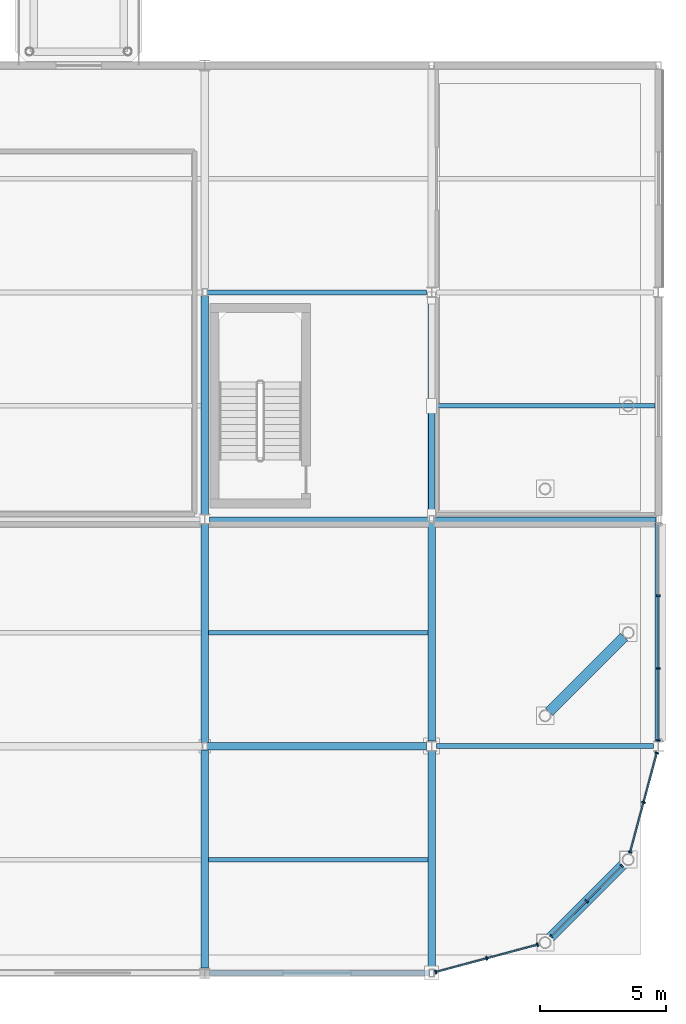
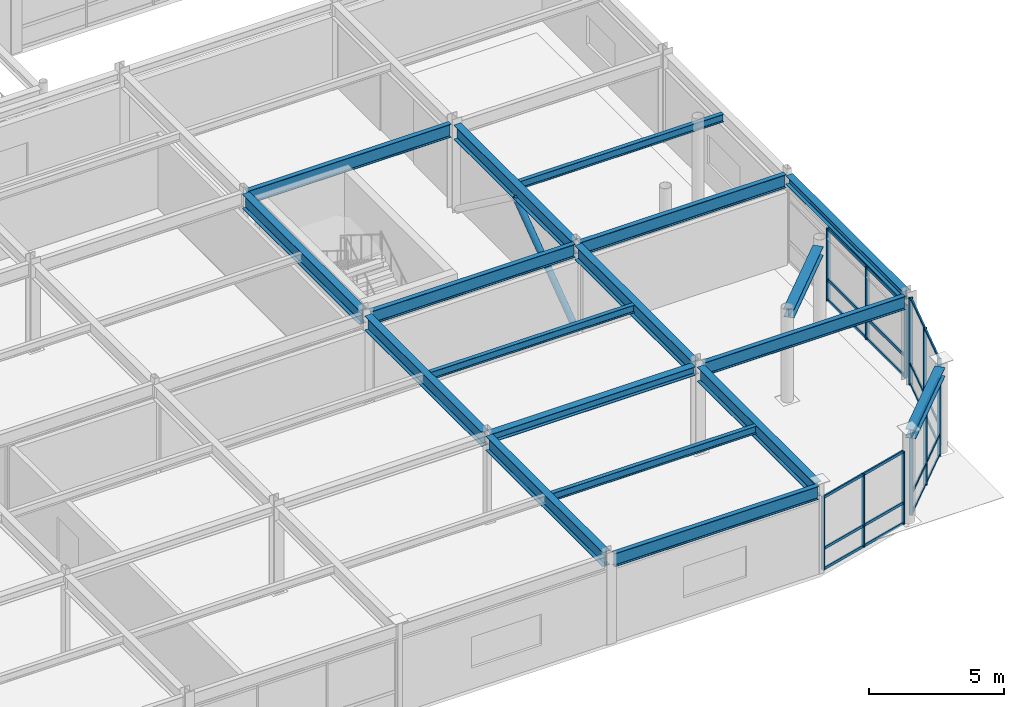
# One storey, part 51 of 105: 37 members, 18 beams, 4 elements without a shape of their own.
"""IFC4 building model written with IfcOpenShell, lengths in metres."""

from ifc_helpers import new_model, si_unit, direction, frame, origin, origin_2d, place, context, subcontext, project, spatial, rectangle, hollow_circle, i_section, extrude, material, material_profile, profile_set, type_object, element, aggregate, save


model = new_model("IFC4")

# Units and contexts
model_context = context("Model", 3, precision=1e-05, world=origin(), true_north=direction((0.0, 1.0)))
body_context = subcontext(model_context, "Body", "Model", "MODEL_VIEW")
ifc_project = project(units=[si_unit("LENGTHUNIT", "METRE"), si_unit("AREAUNIT", "SQUARE_METRE"), si_unit("VOLUMEUNIT", "CUBIC_METRE"), si_unit("PLANEANGLEUNIT", "RADIAN"), si_unit("MASSUNIT", "GRAM", prefix="KILO")], contexts=[model_context])

# Site, building, storey
site_placement = place(None, origin())
site = spatial("IfcSite", under=ifc_project, at=site_placement, CompositionType="ELEMENT")
building_placement = place(site_placement, origin())
building = spatial("IfcBuilding", under=site, at=building_placement, Name="Suzunagisa Mobility Hub", CompositionType="ELEMENT")
storey_placement = place(building_placement, frame((0.0, 0.0, 5.10009765625)))
storey = spatial("IfcBuildingStorey", under=building, at=storey_placement, Name="L01", CompositionType="ELEMENT", Elevation=5.10009765625)

# Curtain wall, members
ifc_material_1 = material(Name="Thermally Broken Anodized Aluminum and Low-E Glazing", Category="aluminium")
curtain_wall_type_1 = type_object("IfcCurtainWallType", Name="Unitised Curtain Wall CW-12 8750x3300", PredefinedType="USERDEFINED", material=ifc_material_1)
curtain_wall_1_placement = place(storey_placement, origin())
curtain_wall_1 = element("IfcCurtainWall", 1, at=curtain_wall_1_placement, inside=storey, type_object=curtain_wall_type_1, Name="L01 Unitised Curtain Wall CW-153", ObjectType="UNITISED CURTAIN WALL", PredefinedType="USERDEFINED")
ifc_material_2 = material(Name="Anodized Aluminum 6063-T6", Category="aluminium")
ifc_material_profile_1 = material_profile(ifc_material_2, rectangle(XDim=0.06494140625, YDim=0.139892578125, at=origin_2d()), Name="TRAN-65x140")
ifc_profile_set_1 = profile_set([ifc_material_profile_1], Name="Anodized Aluminum 6063-T6")
member_type_1 = type_object("IfcMemberType", Name="Curtain Wall Framing CM-01 TRAN-65x140", PredefinedType="USERDEFINED", material=ifc_profile_set_1)
member_1_placement = place(storey_placement, frame((180.0, 9.258056640625, 0.032470703125), z_axis=(0.0, 1.0, 0.0), x_axis=(-1.0, 0.0, 0.0)))
member_1 = element("IfcMember", 2, at=member_1_placement, type_object=member_type_1, Name="Curtain Wall Transom 153-T1.1", ObjectType="TRANSOM", PredefinedType="USERDEFINED", context=body_context, shape_type="SweptSolid", body=[
    extrude(rectangle(XDim=0.06494140625, YDim=0.139892578125, at=origin_2d()), origin(), (0.0, 0.0, 1.0), 2.79736328125),
])
member_2_placement = place(storey_placement, frame((180.0, 9.258056640625, 0.949951171875), z_axis=(0.0, 1.0, 0.0), x_axis=(-1.0, 0.0, 0.0)))
member_2 = element("IfcMember", 3, at=member_2_placement, type_object=member_type_1, Name="Curtain Wall Transom 153-T1.2", ObjectType="TRANSOM", PredefinedType="USERDEFINED", context=body_context, shape_type="SweptSolid", body=[
    extrude(rectangle(XDim=0.06494140625, YDim=0.139892578125, at=origin_2d()), origin(), (0.0, 0.0, 1.0), 2.79736328125),
])
member_3_placement = place(storey_placement, frame((180.0, 9.258056640625, 3.25732421875), z_axis=(0.0, 1.0, 0.0), x_axis=(-1.0, 0.0, 0.0)))
member_3 = element("IfcMember", 4, at=member_3_placement, type_object=member_type_1, Name="Curtain Wall Transom 153-T1.3", ObjectType="TRANSOM", PredefinedType="USERDEFINED", context=body_context, shape_type="SweptSolid", body=[
    extrude(rectangle(XDim=0.06494140625, YDim=0.139892578125, at=origin_2d()), origin(), (0.0, 0.0, 1.0), 2.79736328125),
])
member_4_placement = place(storey_placement, frame((180.0, 12.111328125, 0.032470703125), z_axis=(0.0, 1.0, 0.0), x_axis=(-1.0, 0.0, 0.0)))
member_4 = element("IfcMember", 5, at=member_4_placement, type_object=member_type_1, Name="Curtain Wall Transom 153-T2.1", ObjectType="TRANSOM", PredefinedType="USERDEFINED", context=body_context, shape_type="SweptSolid", body=[
    extrude(rectangle(XDim=0.06494140625, YDim=0.139892578125, at=origin_2d()), origin(), (0.0, 0.0, 1.0), 2.827392578125),
])
member_5_placement = place(storey_placement, frame((180.0, 12.111328125, 0.949951171875), z_axis=(0.0, 1.0, 0.0), x_axis=(-1.0, 0.0, 0.0)))
member_5 = element("IfcMember", 6, at=member_5_placement, type_object=member_type_1, Name="Curtain Wall Transom 153-T2.2", ObjectType="TRANSOM", PredefinedType="USERDEFINED", context=body_context, shape_type="SweptSolid", body=[
    extrude(rectangle(XDim=0.06494140625, YDim=0.139892578125, at=origin_2d()), origin(), (0.0, 0.0, 1.0), 2.827392578125),
])
member_6_placement = place(storey_placement, frame((180.0, 12.111328125, 3.25732421875), z_axis=(0.0, 1.0, 0.0), x_axis=(-1.0, 0.0, 0.0)))
member_6 = element("IfcMember", 7, at=member_6_placement, type_object=member_type_1, Name="Curtain Wall Transom 153-T2.3", ObjectType="TRANSOM", PredefinedType="USERDEFINED", context=body_context, shape_type="SweptSolid", body=[
    extrude(rectangle(XDim=0.06494140625, YDim=0.139892578125, at=origin_2d()), origin(), (0.0, 0.0, 1.0), 2.827392578125),
])

curtain_wall_type_2 = type_object("IfcCurtainWallType", Name="Unitised Curtain Wall CW-06 4250x3300", PredefinedType="USERDEFINED", material=ifc_material_1)
curtain_wall_2_placement = place(storey_placement, origin())
curtain_wall_2 = element("IfcCurtainWall", 8, at=curtain_wall_2_placement, inside=storey, type_object=curtain_wall_type_2, Name="L01 Unitised Curtain Wall CW-150", ObjectType="UNITISED CURTAIN WALL", PredefinedType="USERDEFINED")
ifc_material_profile_2 = material_profile(ifc_material_2, rectangle(XDim=0.06005859375, YDim=0.1201171875, at=origin_2d()), Name="TRAN-60x120")
ifc_profile_set_2 = profile_set([ifc_material_profile_2], Name="Anodized Aluminum 6063-T6")
member_type_2 = type_object("IfcMemberType", Name="Curtain Wall Framing CM-02 TRAN-60x120", PredefinedType="USERDEFINED", material=ifc_profile_set_2)
member_7_placement = place(storey_placement, frame((171.186767578125, 0.050048828125, 0.02978515625), z_axis=(0.965935741112, 0.258782039643, 0.0), x_axis=(-0.258782039643, 0.965935741112, 0.0)))
member_7 = element("IfcMember", 9, at=member_7_placement, type_object=member_type_2, Name="Curtain Wall Transom 150-T1.1", ObjectType="TRANSOM", PredefinedType="USERDEFINED", context=body_context, shape_type="SweptSolid", body=[
    extrude(rectangle(XDim=0.06005859375, YDim=0.1201171875, at=origin_2d()), origin(), (0.0, 0.0, 1.0), 2.035888671875),
])
member_8_placement = place(storey_placement, frame((171.186767578125, 0.050048828125, 0.949951171875), z_axis=(0.965935741112, 0.258782039643, 0.0), x_axis=(-0.258782039643, 0.965935741112, 0.0)))
member_8 = element("IfcMember", 10, at=member_8_placement, type_object=member_type_2, Name="Curtain Wall Transom 150-T1.2", ObjectType="TRANSOM", PredefinedType="USERDEFINED", context=body_context, shape_type="SweptSolid", body=[
    extrude(rectangle(XDim=0.06005859375, YDim=0.1201171875, at=origin_2d()), origin(), (0.0, 0.0, 1.0), 2.035888671875),
])
member_9_placement = place(storey_placement, frame((171.186767578125, 0.050048828125, 3.260009765625), z_axis=(0.965935741112, 0.258782039643, 0.0), x_axis=(-0.258782039643, 0.965935741112, 0.0)))
member_9 = element("IfcMember", 11, at=member_9_placement, type_object=member_type_2, Name="Curtain Wall Transom 150-T1.3", ObjectType="TRANSOM", PredefinedType="USERDEFINED", context=body_context, shape_type="SweptSolid", body=[
    extrude(rectangle(XDim=0.06005859375, YDim=0.1201171875, at=origin_2d()), origin(), (0.0, 0.0, 1.0), 2.035888671875),
])
member_10_placement = place(storey_placement, frame((173.207275390625, 0.59130859375, 0.02978515625), z_axis=(0.965897721411, 0.258923911165, 0.0), x_axis=(-0.258923911165, 0.965897721411, 0.0)))
member_10 = element("IfcMember", 12, at=member_10_placement, type_object=member_type_2, Name="Curtain Wall Transom 150-T2.1", ObjectType="TRANSOM", PredefinedType="USERDEFINED", context=body_context, shape_type="SweptSolid", body=[
    extrude(rectangle(XDim=0.06005859375, YDim=0.1201171875, at=origin_2d()), origin(), (0.0, 0.0, 1.0), 2.03564453125),
])
member_11_placement = place(storey_placement, frame((173.207275390625, 0.59130859375, 0.949951171875), z_axis=(0.965897721411, 0.258923911165, 0.0), x_axis=(-0.258923911165, 0.965897721411, 0.0)))
member_11 = element("IfcMember", 13, at=member_11_placement, type_object=member_type_2, Name="Curtain Wall Transom 150-T2.2", ObjectType="TRANSOM", PredefinedType="USERDEFINED", context=body_context, shape_type="SweptSolid", body=[
    extrude(rectangle(XDim=0.06005859375, YDim=0.1201171875, at=origin_2d()), origin(), (0.0, 0.0, 1.0), 2.03564453125),
])
member_12_placement = place(storey_placement, frame((173.207275390625, 0.59130859375, 3.260009765625), z_axis=(0.965897721411, 0.258923911165, 0.0), x_axis=(-0.258923911165, 0.965897721411, 0.0)))
member_12 = element("IfcMember", 14, at=member_12_placement, type_object=member_type_2, Name="Curtain Wall Transom 150-T2.3", ObjectType="TRANSOM", PredefinedType="USERDEFINED", context=body_context, shape_type="SweptSolid", body=[
    extrude(rectangle(XDim=0.06005859375, YDim=0.1201171875, at=origin_2d()), origin(), (0.0, 0.0, 1.0), 2.03564453125),
])

curtain_wall_type_3 = type_object("IfcCurtainWallType", Name="Unitised Curtain Wall CW-23 4000x3500", PredefinedType="USERDEFINED", material=ifc_material_1)
curtain_wall_3_placement = place(storey_placement, origin())
curtain_wall_3 = element("IfcCurtainWall", 15, at=curtain_wall_3_placement, inside=storey, type_object=curtain_wall_type_3, Name="L01 Unitised Curtain Wall CW-151", ObjectType="UNITISED CURTAIN WALL", PredefinedType="USERDEFINED")
member_13_placement = place(storey_placement, frame((175.76953125, 1.475341796875, 0.02978515625), z_axis=(0.707106781187, 0.707106781187, 0.0), x_axis=(-0.707106781187, 0.707106781187, 0.0)))
member_13 = element("IfcMember", 16, at=member_13_placement, type_object=member_type_2, Name="Curtain Wall Transom 151-T1.1", ObjectType="TRANSOM", PredefinedType="USERDEFINED", context=body_context, shape_type="SweptSolid", body=[
    extrude(rectangle(XDim=0.06005859375, YDim=0.1201171875, at=origin_2d()), origin(), (0.0, 0.0, 1.0), 1.919921875),
])
member_14_placement = place(storey_placement, frame((175.76953125, 1.475341796875, 0.949951171875), z_axis=(0.707106781187, 0.707106781187, 0.0), x_axis=(-0.707106781187, 0.707106781187, 0.0)))
member_14 = element("IfcMember", 17, at=member_14_placement, type_object=member_type_2, Name="Curtain Wall Transom 151-T1.2", ObjectType="TRANSOM", PredefinedType="USERDEFINED", context=body_context, shape_type="SweptSolid", body=[
    extrude(rectangle(XDim=0.06005859375, YDim=0.1201171875, at=origin_2d()), origin(), (0.0, 0.0, 1.0), 1.919921875),
])
member_15_placement = place(storey_placement, frame((175.76953125, 1.475341796875, 3.510009765625), z_axis=(0.707106781187, 0.707106781187, 0.0), x_axis=(-0.707106781187, 0.707106781187, 0.0)))
member_15 = element("IfcMember", 18, at=member_15_placement, type_object=member_type_2, Name="Curtain Wall Transom 151-T1.3", ObjectType="TRANSOM", PredefinedType="USERDEFINED", context=body_context, shape_type="SweptSolid", body=[
    extrude(rectangle(XDim=0.06005859375, YDim=0.1201171875, at=origin_2d()), origin(), (0.0, 0.0, 1.0), 1.919921875),
])
member_16_placement = place(storey_placement, frame((177.1669921875, 2.872802734375, 0.02978515625), z_axis=(0.707106781187, 0.707106781187, 0.0), x_axis=(-0.707106781187, 0.707106781187, 0.0)))
member_16 = element("IfcMember", 19, at=member_16_placement, type_object=member_type_2, Name="Curtain Wall Transom 151-T2.1", ObjectType="TRANSOM", PredefinedType="USERDEFINED", context=body_context, shape_type="SweptSolid", body=[
    extrude(rectangle(XDim=0.06005859375, YDim=0.1201171875, at=origin_2d()), origin(), (0.0, 0.0, 1.0), 1.919921875),
])
member_17_placement = place(storey_placement, frame((177.1669921875, 2.872802734375, 0.949951171875), z_axis=(0.707106781187, 0.707106781187, 0.0), x_axis=(-0.707106781187, 0.707106781187, 0.0)))
member_17 = element("IfcMember", 20, at=member_17_placement, type_object=member_type_2, Name="Curtain Wall Transom 151-T2.2", ObjectType="TRANSOM", PredefinedType="USERDEFINED", context=body_context, shape_type="SweptSolid", body=[
    extrude(rectangle(XDim=0.06005859375, YDim=0.1201171875, at=origin_2d()), origin(), (0.0, 0.0, 1.0), 1.919921875),
])
member_18_placement = place(storey_placement, frame((177.1669921875, 2.872802734375, 3.510009765625), z_axis=(0.707106781187, 0.707106781187, 0.0), x_axis=(-0.707106781187, 0.707106781187, 0.0)))
member_18 = element("IfcMember", 21, at=member_18_placement, type_object=member_type_2, Name="Curtain Wall Transom 151-T2.3", ObjectType="TRANSOM", PredefinedType="USERDEFINED", context=body_context, shape_type="SweptSolid", body=[
    extrude(rectangle(XDim=0.06005859375, YDim=0.1201171875, at=origin_2d()), origin(), (0.0, 0.0, 1.0), 1.919921875),
])

curtain_wall_type_4 = type_object("IfcCurtainWallType", Name="Unitised Curtain Wall CW-27 4250x4000", PredefinedType="USERDEFINED", material=ifc_material_1)
curtain_wall_4_placement = place(storey_placement, origin())
curtain_wall_4 = element("IfcCurtainWall", 22, at=curtain_wall_4_placement, inside=storey, type_object=curtain_wall_type_4, Name="L01 Unitised Curtain Wall CW-152", ObjectType="UNITISED CURTAIN WALL", PredefinedType="USERDEFINED")
member_19_placement = place(storey_placement, frame((178.881591796875, 4.826416015625, 0.02978515625), z_axis=(0.258828495285, 0.965923294071, 0.0), x_axis=(-0.965923294071, 0.258828495285, 0.0)))
member_19 = element("IfcMember", 23, at=member_19_placement, type_object=member_type_2, Name="Curtain Wall Transom 152-T1.1", ObjectType="TRANSOM", PredefinedType="USERDEFINED", context=body_context, shape_type="SweptSolid", body=[
    extrude(rectangle(XDim=0.06005859375, YDim=0.1201171875, at=origin_2d()), origin(), (0.0, 0.0, 1.0), 1.980712890625),
])
member_20_placement = place(storey_placement, frame((178.881591796875, 4.826416015625, 0.949951171875), z_axis=(0.258828495285, 0.965923294071, 0.0), x_axis=(-0.965923294071, 0.258828495285, 0.0)))
member_20 = element("IfcMember", 24, at=member_20_placement, type_object=member_type_2, Name="Curtain Wall Transom 152-T1.2", ObjectType="TRANSOM", PredefinedType="USERDEFINED", context=body_context, shape_type="SweptSolid", body=[
    extrude(rectangle(XDim=0.06005859375, YDim=0.1201171875, at=origin_2d()), origin(), (0.0, 0.0, 1.0), 1.980712890625),
])
member_21_placement = place(storey_placement, frame((178.881591796875, 4.826416015625, 3.919921875), z_axis=(0.258828495285, 0.965923294071, 0.0), x_axis=(-0.965923294071, 0.258828495285, 0.0)))
member_21 = element("IfcMember", 25, at=member_21_placement, type_object=member_type_2, Name="Curtain Wall Transom 152-T1.3", ObjectType="TRANSOM", PredefinedType="USERDEFINED", context=body_context, shape_type="SweptSolid", body=[
    extrude(rectangle(XDim=0.06005859375, YDim=0.1201171875, at=origin_2d()), origin(), (0.0, 0.0, 1.0), 1.980712890625),
])
member_22_placement = place(storey_placement, frame((179.408935546875, 6.7939453125, 0.02978515625), z_axis=(0.258797684861, 0.965931549495, 0.0), x_axis=(-0.965931549495, 0.258797684861, 0.0)))
member_22 = element("IfcMember", 26, at=member_22_placement, type_object=member_type_2, Name="Curtain Wall Transom 152-T2.1", ObjectType="TRANSOM", PredefinedType="USERDEFINED", context=body_context, shape_type="SweptSolid", body=[
    extrude(rectangle(XDim=0.06005859375, YDim=0.1201171875, at=origin_2d()), origin(), (0.0, 0.0, 1.0), 1.98095703125),
])
member_23_placement = place(storey_placement, frame((179.408935546875, 6.7939453125, 0.949951171875), z_axis=(0.258797684861, 0.965931549495, 0.0), x_axis=(-0.965931549495, 0.258797684861, 0.0)))
member_23 = element("IfcMember", 27, at=member_23_placement, type_object=member_type_2, Name="Curtain Wall Transom 152-T2.2", ObjectType="TRANSOM", PredefinedType="USERDEFINED", context=body_context, shape_type="SweptSolid", body=[
    extrude(rectangle(XDim=0.06005859375, YDim=0.1201171875, at=origin_2d()), origin(), (0.0, 0.0, 1.0), 1.98095703125),
])
member_24_placement = place(storey_placement, frame((179.408935546875, 6.7939453125, 3.919921875), z_axis=(0.258797684861, 0.965931549495, 0.0), x_axis=(-0.965931549495, 0.258797684861, 0.0)))
member_24 = element("IfcMember", 28, at=member_24_placement, type_object=member_type_2, Name="Curtain Wall Transom 152-T2.3", ObjectType="TRANSOM", PredefinedType="USERDEFINED", context=body_context, shape_type="SweptSolid", body=[
    extrude(rectangle(XDim=0.06005859375, YDim=0.1201171875, at=origin_2d()), origin(), (0.0, 0.0, 1.0), 1.98095703125),
])

# Member
ifc_material_profile_3 = material_profile(ifc_material_2, rectangle(XDim=0.06005859375, YDim=0.14990234375, at=origin_2d()), Name="MULL-60x150")
ifc_profile_set_3 = profile_set([ifc_material_profile_3], Name="Anodized Aluminum 6063-T6")
member_type_3 = type_object("IfcMemberType", Name="Curtain Wall Framing CM-03 MULL-60x150", PredefinedType="MULLION", material=ifc_profile_set_3)
member_25_placement = place(storey_placement, frame((171.159912109375, 0.042724609375, 0.0), z_axis=(0.0, 0.0, 1.0), x_axis=(0.965924067649, 0.258825608346, 0.0)))
member_25 = element("IfcMember", 29, at=member_25_placement, type_object=member_type_3, Name="Curtain Wall Mullion 150-M1", PredefinedType="MULLION", context=body_context, shape_type="SweptSolid", body=[
    extrude(rectangle(XDim=0.06005859375, YDim=0.14990234375, at=origin_2d()), origin(), (0.0, 0.0, 1.0), 3.289794921875),
])

member_26_placement = place(storey_placement, frame((173.18017578125, 0.583984375, 0.0), z_axis=(0.0, 0.0, 1.0), x_axis=(0.965924067649, 0.258825608346, 0.0)))
member_26 = element("IfcMember", 30, at=member_26_placement, type_object=member_type_3, Name="Curtain Wall Mullion 150-M2", PredefinedType="MULLION", context=body_context, shape_type="SweptSolid", body=[
    extrude(rectangle(XDim=0.06005859375, YDim=0.14990234375, at=origin_2d()), origin(), (0.0, 0.0, 1.0), 3.289794921875),
])

member_27_placement = place(storey_placement, frame((175.20068359375, 1.12548828125, 0.0), z_axis=(0.0, 0.0, 1.0), x_axis=(0.965924067649, 0.258825608346, 0.0)))
member_27 = element("IfcMember", 31, at=member_27_placement, type_object=member_type_3, Name="Curtain Wall Mullion 150-M3", PredefinedType="MULLION", context=body_context, shape_type="SweptSolid", body=[
    extrude(rectangle(XDim=0.06005859375, YDim=0.14990234375, at=origin_2d()), origin(), (0.0, 0.0, 1.0), 3.289794921875),
])

aggregate(curtain_wall_2, [member_25, member_26, member_27, member_7, member_8, member_9, member_10, member_11, member_12])

member_28_placement = place(storey_placement, frame((175.749755859375, 1.45556640625, 0.0), z_axis=(0.0, 0.0, 1.0), x_axis=(0.707106781187, 0.707106781187, 0.0)))
member_28 = element("IfcMember", 32, at=member_28_placement, type_object=member_type_3, Name="Curtain Wall Mullion 151-M1", PredefinedType="MULLION", context=body_context, shape_type="SweptSolid", body=[
    extrude(rectangle(XDim=0.06005859375, YDim=0.14990234375, at=origin_2d()), origin(), (0.0, 0.0, 1.0), 3.539794921875),
])

member_29_placement = place(storey_placement, frame((177.147216796875, 2.852783203125, 0.0), z_axis=(0.0, 0.0, 1.0), x_axis=(0.707106781187, 0.707106781187, 0.0)))
member_29 = element("IfcMember", 33, at=member_29_placement, type_object=member_type_3, Name="Curtain Wall Mullion 151-M2", PredefinedType="MULLION", context=body_context, shape_type="SweptSolid", body=[
    extrude(rectangle(XDim=0.06005859375, YDim=0.14990234375, at=origin_2d()), origin(), (0.0, 0.0, 1.0), 3.539794921875),
])

member_30_placement = place(storey_placement, frame((178.54443359375, 4.250244140625, 0.0), z_axis=(0.0, 0.0, 1.0), x_axis=(0.707106781187, 0.707106781187, 0.0)))
member_30 = element("IfcMember", 34, at=member_30_placement, type_object=member_type_3, Name="Curtain Wall Mullion 151-M3", PredefinedType="MULLION", context=body_context, shape_type="SweptSolid", body=[
    extrude(rectangle(XDim=0.06005859375, YDim=0.14990234375, at=origin_2d()), origin(), (0.0, 0.0, 1.0), 3.539794921875),
])

aggregate(curtain_wall_3, [member_28, member_29, member_30, member_13, member_14, member_15, member_16, member_17, member_18])

member_31_placement = place(storey_placement, frame((178.87451171875, 4.79931640625, 0.0), z_axis=(0.0, 0.0, 1.0), x_axis=(0.258814277087, 0.965927103862, 0.0)))
member_31 = element("IfcMember", 35, at=member_31_placement, type_object=member_type_3, Name="Curtain Wall Mullion 152-M1", PredefinedType="MULLION", context=body_context, shape_type="SweptSolid", body=[
    extrude(rectangle(XDim=0.06005859375, YDim=0.14990234375, at=origin_2d()), origin(), (0.0, 0.0, 1.0), 3.949951171875),
])

member_32_placement = place(storey_placement, frame((179.401611328125, 6.766845703125, 0.0), z_axis=(0.0, 0.0, 1.0), x_axis=(0.258814277087, 0.965927103862, 0.0)))
member_32 = element("IfcMember", 36, at=member_32_placement, type_object=member_type_3, Name="Curtain Wall Mullion 152-M2", PredefinedType="MULLION", context=body_context, shape_type="SweptSolid", body=[
    extrude(rectangle(XDim=0.06005859375, YDim=0.14990234375, at=origin_2d()), origin(), (0.0, 0.0, 1.0), 3.949951171875),
])

member_33_placement = place(storey_placement, frame((179.928955078125, 8.734619140625, 0.0), z_axis=(0.0, 0.0, 1.0), x_axis=(0.258814277087, 0.965927103862, 0.0)))
member_33 = element("IfcMember", 37, at=member_33_placement, type_object=member_type_3, Name="Curtain Wall Mullion 152-M3", PredefinedType="MULLION", context=body_context, shape_type="SweptSolid", body=[
    extrude(rectangle(XDim=0.06005859375, YDim=0.14990234375, at=origin_2d()), origin(), (0.0, 0.0, 1.0), 3.949951171875),
])

aggregate(curtain_wall_4, [member_31, member_32, member_33, member_19, member_20, member_21, member_22, member_23, member_24])

member_34_placement = place(storey_placement, frame((180.0, 9.22998046875, 0.0), z_axis=(0.0, 0.0, 1.0), x_axis=(0.0, 1.0, 0.0)))
member_34 = element("IfcMember", 38, at=member_34_placement, type_object=member_type_3, Name="Curtain Wall Mullion 153-M1", PredefinedType="MULLION", context=body_context, shape_type="SweptSolid", body=[
    extrude(rectangle(XDim=0.06005859375, YDim=0.14990234375, at=origin_2d()), origin(), (0.0, 0.0, 1.0), 3.289794921875),
])

member_35_placement = place(storey_placement, frame((180.0, 12.083251953125, 0.0), z_axis=(0.0, 0.0, 1.0), x_axis=(0.0, 1.0, 0.0)))
member_35 = element("IfcMember", 39, at=member_35_placement, type_object=member_type_3, Name="Curtain Wall Mullion 153-M2", PredefinedType="MULLION", context=body_context, shape_type="SweptSolid", body=[
    extrude(rectangle(XDim=0.06005859375, YDim=0.14990234375, at=origin_2d()), origin(), (0.0, 0.0, 1.0), 3.289794921875),
])

member_36_placement = place(storey_placement, frame((180.0, 14.966796875, 0.0), z_axis=(0.0, 0.0, 1.0), x_axis=(0.0, 1.0, 0.0)))
member_36 = element("IfcMember", 40, at=member_36_placement, type_object=member_type_3, Name="Curtain Wall Mullion 153-M3", PredefinedType="MULLION", context=body_context, shape_type="SweptSolid", body=[
    extrude(rectangle(XDim=0.06005859375, YDim=0.14990234375, at=origin_2d()), origin(), (0.0, 0.0, 1.0), 3.289794921875),
])

aggregate(curtain_wall_1, [member_34, member_35, member_36, member_1, member_2, member_3, member_4, member_5, member_6])

ifc_material_3 = material(Name="Steel SN490B", Category="steel")
ifc_material_profile_4 = material_profile(ifc_material_3, hollow_circle(Radius=0.1337890625, WallThickness=0.00927734375, at=origin_2d()), Name="CHS-267.4x9.3")
ifc_profile_set_4 = profile_set([ifc_material_profile_4], Name="Steel SN490B")
member_type_4 = type_object("IfcMemberType", Name="Roof Truss and Brace Member MB-06 CHS-267.4x9.3", PredefinedType="BRACE", material=ifc_profile_set_4)
member_37_placement = place(storey_placement, frame((171.0, 18.169921875, 0.119873046875), z_axis=(0.0, 0.807237655023, 0.590226539825), x_axis=(-1.0, 0.0, 0.0)))
element("IfcMember", 41, at=member_37_placement, inside=storey, type_object=member_type_4, Name="L01 Concentric Lateral Brace BR-55", PredefinedType="BRACE", context=body_context, shape_type="SweptSolid", body=[
    extrude(hollow_circle(Radius=0.1337890625, WallThickness=0.00927734375, at=origin_2d()), origin(), (0.0, 0.0, 1.0), 5.364013671875),
])

# Beams
ifc_material_4 = material(Name="Steel SN400B", Category="steel")
ifc_material_profile_5 = material_profile(ifc_material_4, i_section(OverallWidth=0.175048828125, OverallDepth=0.35009765625, WebThickness=0.007080078125, FlangeThickness=0.010986328125, FilletRadius=0.008056640625, at=origin_2d()), Name="H-350x175x7x11")
ifc_profile_set_5 = profile_set([ifc_material_profile_5], Name="Steel SN400B")
beam_type_1 = type_object("IfcBeamType", Name="Steel Beam BM-03 H-350x175x7x11", PredefinedType="JOIST", material=ifc_profile_set_5)
for number, where, z_axis, x_axis, name in (
    (42, (162.14990234375, 13.5, 3.77490234375), (1.0, 0.0, 0.0), (0.0, 1.0, 0.0), "L01 Composite Floor Joist J-1515"),
    (43, (171.14990234375, 22.5, 3.77490234375), (1.0, 0.0, 0.0), (0.0, 1.0, 0.0), "L01 Composite Floor Joist J-1517"),
    (44, (162.14990234375, 4.5, 3.764892578125), (1.0, 0.0, 0.0), (0.0, 1.0, 0.0), "L01 Composite Floor Joist J-1534"),
):
    element("IfcBeam", number, at=place(storey_placement, frame(where, z_axis=z_axis, x_axis=x_axis)), inside=storey, type_object=beam_type_1, Name=name, PredefinedType="JOIST", context=body_context, shape_type="SweptSolid", body=[
        extrude(i_section(OverallWidth=0.175048828125, OverallDepth=0.35009765625, WebThickness=0.007080078125, FlangeThickness=0.010986328125, FilletRadius=0.008056640625, at=origin_2d()), origin(), (0.0, 0.0, 1.0), 8.7001953125),
    ])
ifc_material_profile_6 = material_profile(ifc_material_3, i_section(OverallWidth=0.199951171875, OverallDepth=0.60009765625, WebThickness=0.010986328125, FlangeThickness=0.01708984375, FilletRadius=0.012939453125, at=origin_2d()), Name="H-600x200x11x17")
ifc_profile_set_6 = profile_set([ifc_material_profile_6], Name="Steel SN490B")
beam_type_2 = type_object("IfcBeamType", Name="Steel Beam BM-07 H-600x200x11x17", PredefinedType="BEAM", material=ifc_profile_set_6)
beam_1_placement = place(storey_placement, frame((162.196044921875, 18.0, 3.64990234375), z_axis=(1.0, 0.0, 0.0), x_axis=(0.0, 1.0, 0.0)))
element("IfcBeam", 45, at=beam_1_placement, inside=storey, type_object=beam_type_2, Name="L01 Primary Girder GX-1477", PredefinedType="BEAM", context=body_context, shape_type="SweptSolid", body=[
    extrude(i_section(OverallWidth=0.199951171875, OverallDepth=0.60009765625, WebThickness=0.010986328125, FlangeThickness=0.01708984375, FilletRadius=0.012939453125, at=origin_2d()), origin(), (0.0, 0.0, 1.0), 8.7080078125),
])
beam_2_placement = place(storey_placement, frame((171.095947265625, 18.0, 3.639892578125), z_axis=(1.0, 0.0, 0.0), x_axis=(0.0, 1.0, 0.0)))
element("IfcBeam", 46, at=beam_2_placement, inside=storey, type_object=beam_type_2, Name="L01 Primary Girder GX-1478", PredefinedType="BEAM", context=body_context, shape_type="SweptSolid", body=[
    extrude(i_section(OverallWidth=0.199951171875, OverallDepth=0.60009765625, WebThickness=0.010986328125, FlangeThickness=0.01708984375, FilletRadius=0.012939453125, at=origin_2d()), origin(), (0.0, 0.0, 1.0), 8.80810546875),
])
for number, where, z_axis, x_axis, name in (
    (47, (162.095947265625, 27.0, 3.64990234375), (1.0, 0.0, 0.0), (0.0, 1.0, 0.0), "L01 Primary Girder GX-1482"),
    (48, (162.196044921875, 0.0, 3.639892578125), (1.0, 0.0, 0.0), (0.0, 1.0, 0.0), "L01 Primary Girder GX-1522"),
):
    element("IfcBeam", number, at=place(storey_placement, frame(where, z_axis=z_axis, x_axis=x_axis)), inside=storey, type_object=beam_type_2, Name=name, PredefinedType="BEAM", context=body_context, shape_type="SweptSolid", body=[
        extrude(i_section(OverallWidth=0.199951171875, OverallDepth=0.60009765625, WebThickness=0.010986328125, FlangeThickness=0.01708984375, FilletRadius=0.012939453125, at=origin_2d()), origin(), (0.0, 0.0, 1.0), 8.7080078125),
    ])
beam_3_placement = place(storey_placement, frame((171.196044921875, 9.0, 3.639892578125), z_axis=(1.0, 0.0, 0.0), x_axis=(0.0, 1.0, 0.0)))
element("IfcBeam", 49, at=beam_3_placement, inside=storey, type_object=beam_type_2, Name="L01 Primary Girder GX-1523", PredefinedType="BEAM", context=body_context, shape_type="SweptSolid", body=[
    extrude(i_section(OverallWidth=0.199951171875, OverallDepth=0.60009765625, WebThickness=0.010986328125, FlangeThickness=0.01708984375, FilletRadius=0.012939453125, at=origin_2d()), origin(), (0.0, 0.0, 1.0), 8.60791015625),
])
ifc_material_profile_7 = material_profile(ifc_material_3, i_section(OverallWidth=0.300048828125, OverallDepth=0.64990234375, WebThickness=0.012939453125, FlangeThickness=0.02197265625, FilletRadius=0.01611328125, at=origin_2d()), Name="H-650x300x13x22")
ifc_profile_set_7 = profile_set([ifc_material_profile_7], Name="Steel SN490B")
beam_type_3 = type_object("IfcBeamType", Name="Steel Beam BM-10 H-650x300x13x22", PredefinedType="BEAM", material=ifc_profile_set_7)
for number, where, z_axis, x_axis, name in (
    (50, (162.0, 9.14599609375, 3.614990234375), (0.0, 1.0, 0.0), (-1.0, 0.0, 0.0), "L01 Primary Girder GY-1498"),
    (51, (162.0, 18.196044921875, 3.625), (0.0, 1.0, 0.0), (-1.0, 0.0, 0.0), "L01 Primary Girder GY-1499"),
    (52, (171.0, 9.196044921875, 3.614990234375), (0.0, 1.0, 0.0), (-1.0, 0.0, 0.0), "L01 Primary Girder GY-1501"),
    (53, (171.0, 18.14599609375, 3.625), (0.0, 1.0, 0.0), (-1.0, 0.0, 0.0), "L01 Primary Girder GY-1502"),
    (54, (162.0, 0.196044921875, 3.614990234375), (0.0, 1.0, 0.0), (-1.0, 0.0, 0.0), "L01 Primary Girder GY-1527"),
    (55, (171.0, 0.14599609375, 3.614990234375), (0.0, 1.0, 0.0), (-1.0, 0.0, 0.0), "L01 Primary Girder GY-1528"),
):
    element("IfcBeam", number, at=place(storey_placement, frame(where, z_axis=z_axis, x_axis=x_axis)), inside=storey, type_object=beam_type_3, Name=name, PredefinedType="BEAM", context=body_context, shape_type="SweptSolid", body=[
        extrude(i_section(OverallWidth=0.300048828125, OverallDepth=0.64990234375, WebThickness=0.012939453125, FlangeThickness=0.02197265625, FilletRadius=0.01611328125, at=origin_2d()), origin(), (0.0, 0.0, 1.0), 8.657958984375),
    ])
ifc_material_profile_8 = material_profile(ifc_material_3, i_section(OverallWidth=0.39990234375, OverallDepth=0.39990234375, WebThickness=0.012939453125, FlangeThickness=0.02099609375, FilletRadius=0.01611328125, at=origin_2d()), Name="H-400x400x13x21")
ifc_profile_set_8 = profile_set([ifc_material_profile_8], Name="Steel SN490B")
beam_type_4 = type_object("IfcBeamType", Name="Steel Beam BM-12 H-400x400x13x21", PredefinedType="SPANDREL", material=ifc_profile_set_8)
for number, where, z_axis, x_axis, name in (
    (56, (175.66162109375, 10.367431640625, 3.739990234375), (0.707106781187, 0.707106781187, 0.0), (-0.707106781187, 0.707106781187, 0.0), "L01 Streamline Prow Spandrel 1506"),
    (57, (175.66162109375, 1.367431640625, 3.739990234375), (0.707106781187, 0.707106781187, 0.0), (-0.707106781187, 0.707106781187, 0.0), "L01 Streamline Prow Spandrel 1530"),
):
    element("IfcBeam", number, at=place(storey_placement, frame(where, z_axis=z_axis, x_axis=x_axis)), inside=storey, type_object=beam_type_4, Name=name, PredefinedType="SPANDREL", context=body_context, shape_type="SweptSolid", body=[
        extrude(i_section(OverallWidth=0.39990234375, OverallDepth=0.39990234375, WebThickness=0.012939453125, FlangeThickness=0.02099609375, FilletRadius=0.01611328125, at=origin_2d()), origin(), (0.0, 0.0, 1.0), 4.20166015625),
    ])
ifc_material_profile_9 = material_profile(ifc_material_3, i_section(OverallWidth=0.300048828125, OverallDepth=0.389892578125, WebThickness=0.010009765625, FlangeThickness=0.01611328125, FilletRadius=0.012939453125, at=origin_2d()), Name="H-390x300x10x16")
ifc_profile_set_9 = profile_set([ifc_material_profile_9], Name="Steel SN490B")
beam_type_5 = type_object("IfcBeamType", Name="Steel Beam BM-13 H-390x300x10x16", PredefinedType="SPANDREL", material=ifc_profile_set_9)
beam_4_placement = place(storey_placement, frame((162.095947265625, 9.0, 3.744873046875), z_axis=(1.0, 0.0, 0.0), x_axis=(0.0, 1.0, 0.0)))
element("IfcBeam", 58, at=beam_4_placement, inside=storey, type_object=beam_type_5, Name="L01 Primary Girder GX-1473", PredefinedType="SPANDREL", context=body_context, shape_type="SweptSolid", body=[
    extrude(i_section(OverallWidth=0.300048828125, OverallDepth=0.389892578125, WebThickness=0.010009765625, FlangeThickness=0.01611328125, FilletRadius=0.012939453125, at=origin_2d()), origin(), (0.0, 0.0, 1.0), 8.7080078125),
])
beam_5_placement = place(storey_placement, frame((180.0, 9.196044921875, 3.744873046875), z_axis=(0.0, 1.0, 0.0), x_axis=(-1.0, 0.0, 0.0)))
element("IfcBeam", 59, at=beam_5_placement, inside=storey, type_object=beam_type_5, Name="L01 Primary Girder GY-1529", PredefinedType="SPANDREL", context=body_context, shape_type="SweptSolid", body=[
    extrude(i_section(OverallWidth=0.300048828125, OverallDepth=0.389892578125, WebThickness=0.010009765625, FlangeThickness=0.01611328125, FilletRadius=0.012939453125, at=origin_2d()), origin(), (0.0, 0.0, 1.0), 8.657958984375),
])

save(model, "model.ifc")
